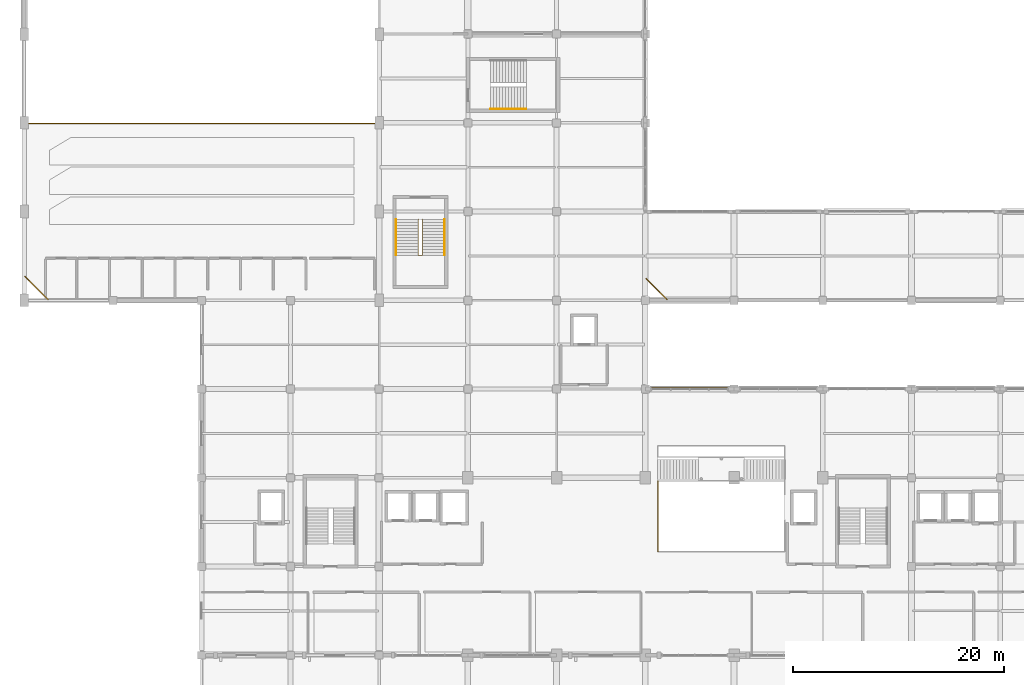
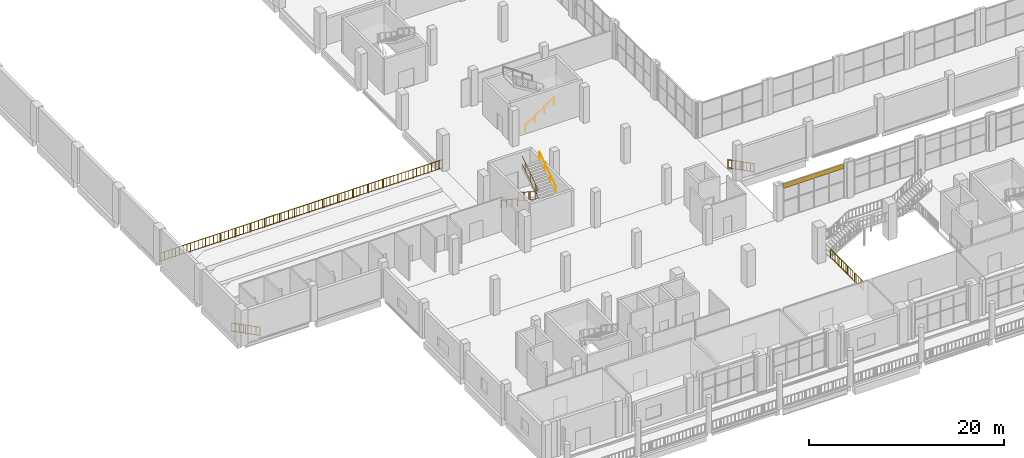
# One storey, part 69 of 75: 8 railings, 1 shading device.
"""IFC4 building model written with IfcOpenShell, lengths in metres."""

from ifc_helpers import new_model, si_unit, derived_unit, direction, frame, origin, origin_2d, place, context, subcontext, project, spatial, rectangle, circle, extrude, material, layer, layer_set, type_object, element, save


model = new_model("IFC4")

# Units and contexts
model_context = context("Model", 3, precision=1e-05, world=origin(), true_north=direction((0.0, 1.0)))
body_context = subcontext(model_context, "Body", "Model", "MODEL_VIEW")
ifc_project = project(units=[si_unit("LENGTHUNIT", "METRE"), si_unit("AREAUNIT", "SQUARE_METRE"), si_unit("VOLUMEUNIT", "CUBIC_METRE"), si_unit("PLANEANGLEUNIT", "RADIAN"), si_unit("MASSUNIT", "GRAM", prefix="KILO"), derived_unit("THERMALTRANSMITTANCEUNIT", [(si_unit("POWERUNIT", "WATT"), 1), (si_unit("LENGTHUNIT", "METRE"), -2), (si_unit("THERMODYNAMICTEMPERATUREUNIT", "KELVIN"), -1)])], contexts=[model_context])

# Site, building, storey
site_placement = place(None, origin())
site = spatial("IfcSite", under=ifc_project, at=site_placement, CompositionType="ELEMENT")
building_placement = place(site_placement, origin())
building = spatial("IfcBuilding", under=site, at=building_placement, Name="Barrovel Congress Hotel", CompositionType="ELEMENT")
storey_placement = place(building_placement, frame((0.0, 0.0, 5.39990234375)))
storey = spatial("IfcBuildingStorey", under=building, at=storey_placement, Name="L01", CompositionType="ELEMENT", Elevation=5.39990234375)

# Railings
ifc_material_1 = material(Name="Painted Architectural Steel", Category="steel")
ifc_layer_1 = layer(ifc_material_1, 0.070068359375)
ifc_layer_set_1 = layer_set([ifc_layer_1], Name="Painted Architectural Steel")
railing_type_1 = type_object("IfcRailingType", Name="RAIL-GUARD-INT", PredefinedType="BALUSTRADE", material=ifc_layer_set_1)
railing_1_placement = place(storey_placement, frame((37.31005859375, 45.4599609375, 0.0)))
element("IfcRailing", 1, at=railing_1_placement, inside=storey, type_object=railing_type_1, Name="STAIR:XS-08:L01:GR-W", PredefinedType="BALUSTRADE", context=body_context, shape_type="SweptSolid", body=[
    extrude(circle(Radius=0.02392578125, at=origin_2d()), frame((0.0, 0.0, 1.11572265625), z_axis=(0.0, -0.833174834292, 0.553009670352), x_axis=(1.0, 0.0, 0.0)), (0.0, 0.0, 1.0), 4.068603515625),
    extrude(circle(Radius=0.02392578125, at=origin_2d()), frame((0.0, 0.0, 0.10009765625), z_axis=(0.0, -0.833174834292, 0.553009670352), x_axis=(1.0, 0.0, 0.0)), (0.0, 0.0, 1.0), 4.068603515625),
    extrude(circle(Radius=0.010009765625, at=origin_2d()), frame((0.0, -0.3388671875, 0.324951171875)), (0.0, 0.0, 1.0), 0.99169921875),
    extrude(circle(Radius=0.010009765625, at=origin_2d()), frame((0.0, -0.677978515625, 0.550048828125)), (0.0, 0.0, 1.0), 0.99169921875),
    extrude(circle(Radius=0.010009765625, at=origin_2d()), frame((0.0, -1.01708984375, 0.77490234375)), (0.0, 0.0, 1.0), 0.99169921875),
    extrude(circle(Radius=0.010009765625, at=origin_2d()), frame((0.0, -1.35595703125, 1.0)), (0.0, 0.0, 1.0), 0.99169921875),
    extrude(circle(Radius=0.010009765625, at=origin_2d()), frame((0.0, -1.69482421875, 1.22509765625)), (0.0, 0.0, 1.0), 0.99169921875),
    extrude(circle(Radius=0.010009765625, at=origin_2d()), frame((0.0, -2.033935546875, 1.449951171875)), (0.0, 0.0, 1.0), 0.99169921875),
    extrude(circle(Radius=0.010009765625, at=origin_2d()), frame((0.0, -2.373046875, 1.675048828125)), (0.0, 0.0, 1.0), 0.99169921875),
    extrude(circle(Radius=0.010009765625, at=origin_2d()), frame((0.0, -2.7119140625, 1.89990234375)), (0.0, 0.0, 1.0), 0.99169921875),
    extrude(circle(Radius=0.010009765625, at=origin_2d()), frame((0.0, -3.05078125, 2.125)), (0.0, 0.0, 1.0), 0.99169921875),
    extrude(circle(Radius=0.02392578125, at=origin_2d()), frame((0.0, -3.389892578125, 3.36572265625), z_axis=(1.0, 0.0, 0.0), x_axis=(0.0, 1.0, 0.0)), (0.0, 0.0, 1.0), 0.3798828125),
    extrude(circle(Radius=0.02392578125, at=origin_2d()), frame((0.0, -3.389892578125, 2.35009765625), z_axis=(1.0, 0.0, 0.0), x_axis=(0.0, 1.0, 0.0)), (0.0, 0.0, 1.0), 0.3798828125),
    extrude(circle(Radius=0.010009765625, at=origin_2d()), frame((0.18994140625, -3.389892578125, 2.35009765625)), (0.0, 0.0, 1.0), 0.99169921875),
    extrude(circle(Radius=0.02392578125, at=origin_2d()), frame((0.3798828125, -3.389892578125, 3.36572265625), z_axis=(0.0, 0.833174834292, 0.553009670352), x_axis=(-1.0, 0.0, 0.0)), (0.0, 0.0, 1.0), 4.068603515625),
    extrude(circle(Radius=0.02392578125, at=origin_2d()), frame((0.3798828125, -3.389892578125, 2.35009765625), z_axis=(0.0, 0.833174834292, 0.553009670352), x_axis=(-1.0, 0.0, 0.0)), (0.0, 0.0, 1.0), 4.068603515625),
    extrude(circle(Radius=0.010009765625, at=origin_2d()), frame((0.3798828125, -3.05078125, 2.574951171875)), (0.0, 0.0, 1.0), 0.99169921875),
    extrude(circle(Radius=0.010009765625, at=origin_2d()), frame((0.3798828125, -2.7119140625, 2.800048828125)), (0.0, 0.0, 1.0), 0.99169921875),
    extrude(circle(Radius=0.010009765625, at=origin_2d()), frame((0.3798828125, -2.373046875, 3.02490234375)), (0.0, 0.0, 1.0), 0.99169921875),
    extrude(circle(Radius=0.010009765625, at=origin_2d()), frame((0.3798828125, -2.033935546875, 3.25)), (0.0, 0.0, 1.0), 0.99169921875),
    extrude(circle(Radius=0.010009765625, at=origin_2d()), frame((0.3798828125, -1.69482421875, 3.47509765625)), (0.0, 0.0, 1.0), 0.99169921875),
    extrude(circle(Radius=0.010009765625, at=origin_2d()), frame((0.3798828125, -1.35595703125, 3.699951171875)), (0.0, 0.0, 1.0), 0.99169921875),
    extrude(circle(Radius=0.010009765625, at=origin_2d()), frame((0.3798828125, -1.01708984375, 3.925048828125)), (0.0, 0.0, 1.0), 0.99169921875),
    extrude(circle(Radius=0.010009765625, at=origin_2d()), frame((0.3798828125, -0.677978515625, 4.14990234375)), (0.0, 0.0, 1.0), 0.99169921875),
    extrude(circle(Radius=0.010009765625, at=origin_2d()), frame((0.3798828125, -0.3388671875, 4.375)), (0.0, 0.0, 1.0), 0.99169921875),
    extrude(circle(Radius=0.02099609375, at=origin_2d()), origin(), (0.0, 0.0, 1.0), 1.091796875),
    extrude(circle(Radius=0.02099609375, at=origin_2d()), frame((0.0, -1.1298828125, 0.75)), (0.0, 0.0, 1.0), 1.091796875),
    extrude(circle(Radius=0.02099609375, at=origin_2d()), frame((0.0, -2.260009765625, 1.5)), (0.0, 0.0, 1.0), 1.091796875),
    extrude(circle(Radius=0.02099609375, at=origin_2d()), frame((0.0, -3.389892578125, 2.25)), (0.0, 0.0, 1.0), 1.091796875),
    extrude(circle(Radius=0.02099609375, at=origin_2d()), frame((0.3798828125, -3.389892578125, 2.25)), (0.0, 0.0, 1.0), 1.091796875),
    extrude(circle(Radius=0.02099609375, at=origin_2d()), frame((0.3798828125, -2.260009765625, 3.0)), (0.0, 0.0, 1.0), 1.091796875),
    extrude(circle(Radius=0.02099609375, at=origin_2d()), frame((0.3798828125, -1.1298828125, 3.75)), (0.0, 0.0, 1.0), 1.091796875),
    extrude(circle(Radius=0.02099609375, at=origin_2d()), frame((0.3798828125, 0.0, 4.5)), (0.0, 0.0, 1.0), 1.091796875),
])
railing_2_placement = place(storey_placement, frame((60.0, 20.699951171875, 0.0)))
element("IfcRailing", 2, at=railing_2_placement, inside=storey, type_object=railing_type_1, Name="RAIL:L01:ATR-3", PredefinedType="BALUSTRADE", context=body_context, shape_type="SweptSolid", body=[
    extrude(circle(Radius=0.02392578125, at=origin_2d()), frame((0.0, 0.0, 1.11572265625), z_axis=(0.0, -1.0, 0.0), x_axis=(1.0, 0.0, 0.0)), (0.0, 0.0, 1.0), 6.699951171875),
    extrude(circle(Radius=0.02392578125, at=origin_2d()), frame((0.0, 0.0, 0.10009765625), z_axis=(0.0, -1.0, 0.0), x_axis=(1.0, 0.0, 0.0)), (0.0, 0.0, 1.0), 6.699951171875),
    extrude(circle(Radius=0.010009765625, at=origin_2d()), frame((0.0, -0.44677734375, 0.10009765625)), (0.0, 0.0, 1.0), 0.99169921875),
    extrude(circle(Radius=0.010009765625, at=origin_2d()), frame((0.0, -0.893310546875, 0.10009765625)), (0.0, 0.0, 1.0), 0.99169921875),
    extrude(circle(Radius=0.010009765625, at=origin_2d()), frame((0.0, -1.340087890625, 0.10009765625)), (0.0, 0.0, 1.0), 0.99169921875),
    extrude(circle(Radius=0.010009765625, at=origin_2d()), frame((0.0, -1.78662109375, 0.10009765625)), (0.0, 0.0, 1.0), 0.99169921875),
    extrude(circle(Radius=0.010009765625, at=origin_2d()), frame((0.0, -2.2333984375, 0.10009765625)), (0.0, 0.0, 1.0), 0.99169921875),
    extrude(circle(Radius=0.010009765625, at=origin_2d()), frame((0.0, -2.679931640625, 0.10009765625)), (0.0, 0.0, 1.0), 0.99169921875),
    extrude(circle(Radius=0.010009765625, at=origin_2d()), frame((0.0, -3.126708984375, 0.10009765625)), (0.0, 0.0, 1.0), 0.99169921875),
    extrude(circle(Radius=0.010009765625, at=origin_2d()), frame((0.0, -3.5732421875, 0.10009765625)), (0.0, 0.0, 1.0), 0.99169921875),
    extrude(circle(Radius=0.010009765625, at=origin_2d()), frame((0.0, -4.02001953125, 0.10009765625)), (0.0, 0.0, 1.0), 0.99169921875),
    extrude(circle(Radius=0.010009765625, at=origin_2d()), frame((0.0, -4.466552734375, 0.10009765625)), (0.0, 0.0, 1.0), 0.99169921875),
    extrude(circle(Radius=0.010009765625, at=origin_2d()), frame((0.0, -4.913330078125, 0.10009765625)), (0.0, 0.0, 1.0), 0.99169921875),
    extrude(circle(Radius=0.010009765625, at=origin_2d()), frame((0.0, -5.35986328125, 0.10009765625)), (0.0, 0.0, 1.0), 0.99169921875),
    extrude(circle(Radius=0.010009765625, at=origin_2d()), frame((0.0, -5.806640625, 0.10009765625)), (0.0, 0.0, 1.0), 0.99169921875),
    extrude(circle(Radius=0.010009765625, at=origin_2d()), frame((0.0, -6.253173828125, 0.10009765625)), (0.0, 0.0, 1.0), 0.99169921875),
    extrude(circle(Radius=0.02099609375, at=origin_2d()), origin(), (0.0, 0.0, 1.0), 1.091796875),
    extrude(circle(Radius=0.02099609375, at=origin_2d()), frame((0.0, -1.675048828125, 0.0)), (0.0, 0.0, 1.0), 1.091796875),
    extrude(circle(Radius=0.02099609375, at=origin_2d()), frame((0.0, -3.35009765625, 0.0)), (0.0, 0.0, 1.0), 1.091796875),
    extrude(circle(Radius=0.02099609375, at=origin_2d()), frame((0.0, -5.02490234375, 0.0)), (0.0, 0.0, 1.0), 1.091796875),
    extrude(circle(Radius=0.02099609375, at=origin_2d()), frame((0.0, -6.699951171875, 0.0)), (0.0, 0.0, 1.0), 1.091796875),
])
railing_3_placement = place(storey_placement, frame((0.080078125, 54.52001953125, 0.0)))
element("IfcRailing", 3, at=railing_3_placement, inside=storey, type_object=railing_type_1, Name="RAIL:L01:GAL-FRONT", PredefinedType="BALUSTRADE", context=body_context, shape_type="SweptSolid", body=[
    extrude(circle(Radius=0.02392578125, at=origin_2d()), frame((0.0, 0.0, 1.11572265625), z_axis=(1.0, 0.0, 0.0), x_axis=(0.0, 1.0, 0.0)), (0.0, 0.0, 1.0), 33.43994140625),
    extrude(circle(Radius=0.02392578125, at=origin_2d()), frame((0.0, 0.0, 0.10009765625), z_axis=(1.0, 0.0, 0.0), x_axis=(0.0, 1.0, 0.0)), (0.0, 0.0, 1.0), 33.43994140625),
    extrude(circle(Radius=0.010009765625, at=origin_2d()), frame((0.44580078125, 0.0, 0.10009765625)), (0.0, 0.0, 1.0), 0.99169921875),
    extrude(circle(Radius=0.010009765625, at=origin_2d()), frame((0.891845703125, 0.0, 0.10009765625)), (0.0, 0.0, 1.0), 0.99169921875),
    extrude(circle(Radius=0.010009765625, at=origin_2d()), frame((1.337646484375, 0.0, 0.10009765625)), (0.0, 0.0, 1.0), 0.99169921875),
    extrude(circle(Radius=0.010009765625, at=origin_2d()), frame((1.783447265625, 0.0, 0.10009765625)), (0.0, 0.0, 1.0), 0.99169921875),
    extrude(circle(Radius=0.010009765625, at=origin_2d()), frame((2.229248046875, 0.0, 0.10009765625)), (0.0, 0.0, 1.0), 0.99169921875),
    extrude(circle(Radius=0.010009765625, at=origin_2d()), frame((2.67529296875, 0.0, 0.10009765625)), (0.0, 0.0, 1.0), 0.99169921875),
    extrude(circle(Radius=0.010009765625, at=origin_2d()), frame((3.12109375, 0.0, 0.10009765625)), (0.0, 0.0, 1.0), 0.99169921875),
    extrude(circle(Radius=0.010009765625, at=origin_2d()), frame((3.56689453125, 0.0, 0.10009765625)), (0.0, 0.0, 1.0), 0.99169921875),
    extrude(circle(Radius=0.010009765625, at=origin_2d()), frame((4.0126953125, 0.0, 0.10009765625)), (0.0, 0.0, 1.0), 0.99169921875),
    extrude(circle(Radius=0.010009765625, at=origin_2d()), frame((4.458740234375, 0.0, 0.10009765625)), (0.0, 0.0, 1.0), 0.99169921875),
    extrude(circle(Radius=0.010009765625, at=origin_2d()), frame((4.904541015625, 0.0, 0.10009765625)), (0.0, 0.0, 1.0), 0.99169921875),
    extrude(circle(Radius=0.010009765625, at=origin_2d()), frame((5.350341796875, 0.0, 0.10009765625)), (0.0, 0.0, 1.0), 0.99169921875),
    extrude(circle(Radius=0.010009765625, at=origin_2d()), frame((5.796142578125, 0.0, 0.10009765625)), (0.0, 0.0, 1.0), 0.99169921875),
    extrude(circle(Radius=0.010009765625, at=origin_2d()), frame((6.2421875, 0.0, 0.10009765625)), (0.0, 0.0, 1.0), 0.99169921875),
    extrude(circle(Radius=0.010009765625, at=origin_2d()), frame((6.68798828125, 0.0, 0.10009765625)), (0.0, 0.0, 1.0), 0.99169921875),
    extrude(circle(Radius=0.010009765625, at=origin_2d()), frame((7.1337890625, 0.0, 0.10009765625)), (0.0, 0.0, 1.0), 0.99169921875),
    extrude(circle(Radius=0.010009765625, at=origin_2d()), frame((7.579833984375, 0.0, 0.10009765625)), (0.0, 0.0, 1.0), 0.99169921875),
    extrude(circle(Radius=0.010009765625, at=origin_2d()), frame((8.025634765625, 0.0, 0.10009765625)), (0.0, 0.0, 1.0), 0.99169921875),
    extrude(circle(Radius=0.010009765625, at=origin_2d()), frame((8.471435546875, 0.0, 0.10009765625)), (0.0, 0.0, 1.0), 0.99169921875),
    extrude(circle(Radius=0.010009765625, at=origin_2d()), frame((8.917236328125, 0.0, 0.10009765625)), (0.0, 0.0, 1.0), 0.99169921875),
    extrude(circle(Radius=0.010009765625, at=origin_2d()), frame((9.36328125, 0.0, 0.10009765625)), (0.0, 0.0, 1.0), 0.99169921875),
    extrude(circle(Radius=0.010009765625, at=origin_2d()), frame((9.80908203125, 0.0, 0.10009765625)), (0.0, 0.0, 1.0), 0.99169921875),
    extrude(circle(Radius=0.010009765625, at=origin_2d()), frame((10.2548828125, 0.0, 0.10009765625)), (0.0, 0.0, 1.0), 0.99169921875),
    extrude(circle(Radius=0.010009765625, at=origin_2d()), frame((10.70068359375, 0.0, 0.10009765625)), (0.0, 0.0, 1.0), 0.99169921875),
    extrude(circle(Radius=0.010009765625, at=origin_2d()), frame((11.146728515625, 0.0, 0.10009765625)), (0.0, 0.0, 1.0), 0.99169921875),
    extrude(circle(Radius=0.010009765625, at=origin_2d()), frame((11.592529296875, 0.0, 0.10009765625)), (0.0, 0.0, 1.0), 0.99169921875),
    extrude(circle(Radius=0.010009765625, at=origin_2d()), frame((12.038330078125, 0.0, 0.10009765625)), (0.0, 0.0, 1.0), 0.99169921875),
    extrude(circle(Radius=0.010009765625, at=origin_2d()), frame((12.484130859375, 0.0, 0.10009765625)), (0.0, 0.0, 1.0), 0.99169921875),
    extrude(circle(Radius=0.010009765625, at=origin_2d()), frame((12.93017578125, 0.0, 0.10009765625)), (0.0, 0.0, 1.0), 0.99169921875),
    extrude(circle(Radius=0.010009765625, at=origin_2d()), frame((13.3759765625, 0.0, 0.10009765625)), (0.0, 0.0, 1.0), 0.99169921875),
    extrude(circle(Radius=0.010009765625, at=origin_2d()), frame((13.82177734375, 0.0, 0.10009765625)), (0.0, 0.0, 1.0), 0.99169921875),
    extrude(circle(Radius=0.010009765625, at=origin_2d()), frame((14.267822265625, 0.0, 0.10009765625)), (0.0, 0.0, 1.0), 0.99169921875),
    extrude(circle(Radius=0.010009765625, at=origin_2d()), frame((14.713623046875, 0.0, 0.10009765625)), (0.0, 0.0, 1.0), 0.99169921875),
    extrude(circle(Radius=0.010009765625, at=origin_2d()), frame((15.159423828125, 0.0, 0.10009765625)), (0.0, 0.0, 1.0), 0.99169921875),
    extrude(circle(Radius=0.010009765625, at=origin_2d()), frame((15.605224609375, 0.0, 0.10009765625)), (0.0, 0.0, 1.0), 0.99169921875),
    extrude(circle(Radius=0.010009765625, at=origin_2d()), frame((16.05126953125, 0.0, 0.10009765625)), (0.0, 0.0, 1.0), 0.99169921875),
    extrude(circle(Radius=0.010009765625, at=origin_2d()), frame((16.4970703125, 0.0, 0.10009765625)), (0.0, 0.0, 1.0), 0.99169921875),
    extrude(circle(Radius=0.010009765625, at=origin_2d()), frame((16.94287109375, 0.0, 0.10009765625)), (0.0, 0.0, 1.0), 0.99169921875),
    extrude(circle(Radius=0.010009765625, at=origin_2d()), frame((17.388671875, 0.0, 0.10009765625)), (0.0, 0.0, 1.0), 0.99169921875),
    extrude(circle(Radius=0.010009765625, at=origin_2d()), frame((17.834716796875, 0.0, 0.10009765625)), (0.0, 0.0, 1.0), 0.99169921875),
    extrude(circle(Radius=0.010009765625, at=origin_2d()), frame((18.280517578125, 0.0, 0.10009765625)), (0.0, 0.0, 1.0), 0.99169921875),
    extrude(circle(Radius=0.010009765625, at=origin_2d()), frame((18.726318359375, 0.0, 0.10009765625)), (0.0, 0.0, 1.0), 0.99169921875),
    extrude(circle(Radius=0.010009765625, at=origin_2d()), frame((19.172119140625, 0.0, 0.10009765625)), (0.0, 0.0, 1.0), 0.99169921875),
    extrude(circle(Radius=0.010009765625, at=origin_2d()), frame((19.6181640625, 0.0, 0.10009765625)), (0.0, 0.0, 1.0), 0.99169921875),
    extrude(circle(Radius=0.010009765625, at=origin_2d()), frame((20.06396484375, 0.0, 0.10009765625)), (0.0, 0.0, 1.0), 0.99169921875),
    extrude(circle(Radius=0.010009765625, at=origin_2d()), frame((20.509765625, 0.0, 0.10009765625)), (0.0, 0.0, 1.0), 0.99169921875),
    extrude(circle(Radius=0.010009765625, at=origin_2d()), frame((20.955810546875, 0.0, 0.10009765625)), (0.0, 0.0, 1.0), 0.99169921875),
    extrude(circle(Radius=0.010009765625, at=origin_2d()), frame((21.401611328125, 0.0, 0.10009765625)), (0.0, 0.0, 1.0), 0.99169921875),
    extrude(circle(Radius=0.010009765625, at=origin_2d()), frame((21.847412109375, 0.0, 0.10009765625)), (0.0, 0.0, 1.0), 0.99169921875),
    extrude(circle(Radius=0.010009765625, at=origin_2d()), frame((22.293212890625, 0.0, 0.10009765625)), (0.0, 0.0, 1.0), 0.99169921875),
    extrude(circle(Radius=0.010009765625, at=origin_2d()), frame((22.7392578125, 0.0, 0.10009765625)), (0.0, 0.0, 1.0), 0.99169921875),
    extrude(circle(Radius=0.010009765625, at=origin_2d()), frame((23.18505859375, 0.0, 0.10009765625)), (0.0, 0.0, 1.0), 0.99169921875),
    extrude(circle(Radius=0.010009765625, at=origin_2d()), frame((23.630859375, 0.0, 0.10009765625)), (0.0, 0.0, 1.0), 0.99169921875),
    extrude(circle(Radius=0.010009765625, at=origin_2d()), frame((24.07666015625, 0.0, 0.10009765625)), (0.0, 0.0, 1.0), 0.99169921875),
    extrude(circle(Radius=0.010009765625, at=origin_2d()), frame((24.522705078125, 0.0, 0.10009765625)), (0.0, 0.0, 1.0), 0.99169921875),
    extrude(circle(Radius=0.010009765625, at=origin_2d()), frame((24.968505859375, 0.0, 0.10009765625)), (0.0, 0.0, 1.0), 0.99169921875),
    extrude(circle(Radius=0.010009765625, at=origin_2d()), frame((25.414306640625, 0.0, 0.10009765625)), (0.0, 0.0, 1.0), 0.99169921875),
    extrude(circle(Radius=0.010009765625, at=origin_2d()), frame((25.860107421875, 0.0, 0.10009765625)), (0.0, 0.0, 1.0), 0.99169921875),
    extrude(circle(Radius=0.010009765625, at=origin_2d()), frame((26.30615234375, 0.0, 0.10009765625)), (0.0, 0.0, 1.0), 0.99169921875),
    extrude(circle(Radius=0.010009765625, at=origin_2d()), frame((26.751953125, 0.0, 0.10009765625)), (0.0, 0.0, 1.0), 0.99169921875),
    extrude(circle(Radius=0.010009765625, at=origin_2d()), frame((27.19775390625, 0.0, 0.10009765625)), (0.0, 0.0, 1.0), 0.99169921875),
    extrude(circle(Radius=0.010009765625, at=origin_2d()), frame((27.643798828125, 0.0, 0.10009765625)), (0.0, 0.0, 1.0), 0.99169921875),
    extrude(circle(Radius=0.010009765625, at=origin_2d()), frame((28.089599609375, 0.0, 0.10009765625)), (0.0, 0.0, 1.0), 0.99169921875),
    extrude(circle(Radius=0.010009765625, at=origin_2d()), frame((28.535400390625, 0.0, 0.10009765625)), (0.0, 0.0, 1.0), 0.99169921875),
    extrude(circle(Radius=0.010009765625, at=origin_2d()), frame((28.981201171875, 0.0, 0.10009765625)), (0.0, 0.0, 1.0), 0.99169921875),
    extrude(circle(Radius=0.010009765625, at=origin_2d()), frame((29.42724609375, 0.0, 0.10009765625)), (0.0, 0.0, 1.0), 0.99169921875),
    extrude(circle(Radius=0.010009765625, at=origin_2d()), frame((29.873046875, 0.0, 0.10009765625)), (0.0, 0.0, 1.0), 0.99169921875),
    extrude(circle(Radius=0.010009765625, at=origin_2d()), frame((30.31884765625, 0.0, 0.10009765625)), (0.0, 0.0, 1.0), 0.99169921875),
    extrude(circle(Radius=0.010009765625, at=origin_2d()), frame((30.7646484375, 0.0, 0.10009765625)), (0.0, 0.0, 1.0), 0.99169921875),
    extrude(circle(Radius=0.010009765625, at=origin_2d()), frame((31.210693359375, 0.0, 0.10009765625)), (0.0, 0.0, 1.0), 0.99169921875),
    extrude(circle(Radius=0.010009765625, at=origin_2d()), frame((31.656494140625, 0.0, 0.10009765625)), (0.0, 0.0, 1.0), 0.99169921875),
    extrude(circle(Radius=0.010009765625, at=origin_2d()), frame((32.102294921875, 0.0, 0.10009765625)), (0.0, 0.0, 1.0), 0.99169921875),
    extrude(circle(Radius=0.010009765625, at=origin_2d()), frame((32.548095703125, 0.0, 0.10009765625)), (0.0, 0.0, 1.0), 0.99169921875),
    extrude(circle(Radius=0.010009765625, at=origin_2d()), frame((32.994140625, 0.0, 0.10009765625)), (0.0, 0.0, 1.0), 0.99169921875),
    extrude(circle(Radius=0.02099609375, at=origin_2d()), origin(), (0.0, 0.0, 1.0), 1.091796875),
    extrude(circle(Radius=0.02099609375, at=origin_2d()), frame((1.760009765625, 0.0, 0.0)), (0.0, 0.0, 1.0), 1.091796875),
    extrude(circle(Radius=0.02099609375, at=origin_2d()), frame((3.52001953125, 0.0, 0.0)), (0.0, 0.0, 1.0), 1.091796875),
    extrude(circle(Radius=0.02099609375, at=origin_2d()), frame((5.280029296875, 0.0, 0.0)), (0.0, 0.0, 1.0), 1.091796875),
    extrude(circle(Radius=0.02099609375, at=origin_2d()), frame((7.0400390625, 0.0, 0.0)), (0.0, 0.0, 1.0), 1.091796875),
    extrude(circle(Radius=0.02099609375, at=origin_2d()), frame((8.800048828125, 0.0, 0.0)), (0.0, 0.0, 1.0), 1.091796875),
    extrude(circle(Radius=0.02099609375, at=origin_2d()), frame((10.56005859375, 0.0, 0.0)), (0.0, 0.0, 1.0), 1.091796875),
    extrude(circle(Radius=0.02099609375, at=origin_2d()), frame((12.320068359375, 0.0, 0.0)), (0.0, 0.0, 1.0), 1.091796875),
    extrude(circle(Radius=0.02099609375, at=origin_2d()), frame((14.080078125, 0.0, 0.0)), (0.0, 0.0, 1.0), 1.091796875),
    extrude(circle(Radius=0.02099609375, at=origin_2d()), frame((15.840087890625, 0.0, 0.0)), (0.0, 0.0, 1.0), 1.091796875),
    extrude(circle(Radius=0.02099609375, at=origin_2d()), frame((17.599853515625, 0.0, 0.0)), (0.0, 0.0, 1.0), 1.091796875),
    extrude(circle(Radius=0.02099609375, at=origin_2d()), frame((19.35986328125, 0.0, 0.0)), (0.0, 0.0, 1.0), 1.091796875),
    extrude(circle(Radius=0.02099609375, at=origin_2d()), frame((21.119873046875, 0.0, 0.0)), (0.0, 0.0, 1.0), 1.091796875),
    extrude(circle(Radius=0.02099609375, at=origin_2d()), frame((22.8798828125, 0.0, 0.0)), (0.0, 0.0, 1.0), 1.091796875),
    extrude(circle(Radius=0.02099609375, at=origin_2d()), frame((24.639892578125, 0.0, 0.0)), (0.0, 0.0, 1.0), 1.091796875),
    extrude(circle(Radius=0.02099609375, at=origin_2d()), frame((26.39990234375, 0.0, 0.0)), (0.0, 0.0, 1.0), 1.091796875),
    extrude(circle(Radius=0.02099609375, at=origin_2d()), frame((28.159912109375, 0.0, 0.0)), (0.0, 0.0, 1.0), 1.091796875),
    extrude(circle(Radius=0.02099609375, at=origin_2d()), frame((29.919921875, 0.0, 0.0)), (0.0, 0.0, 1.0), 1.091796875),
    extrude(circle(Radius=0.02099609375, at=origin_2d()), frame((31.679931640625, 0.0, 0.0)), (0.0, 0.0, 1.0), 1.091796875),
    extrude(circle(Radius=0.02099609375, at=origin_2d()), frame((33.43994140625, 0.0, 0.0)), (0.0, 0.0, 1.0), 1.091796875),
])
railing_4_placement = place(storey_placement, frame((2.25, 37.8798828125, 0.0)))
element("IfcRailing", 4, at=railing_4_placement, inside=storey, type_object=railing_type_1, Name="RAIL:L01:CG-GAL", PredefinedType="BALUSTRADE", context=body_context, shape_type="SweptSolid", body=[
    extrude(circle(Radius=0.02392578125, at=origin_2d()), frame((0.0, 0.0, 1.11572265625), z_axis=(-0.707067003571, 0.707146556564, 0.0), x_axis=(-0.707146556564, -0.707067003571, 0.0)), (0.0, 0.0, 1.0), 3.06884765625),
    extrude(circle(Radius=0.02392578125, at=origin_2d()), frame((0.0, 0.0, 0.10009765625), z_axis=(-0.707067003571, 0.707146556564, 0.0), x_axis=(-0.707146556564, -0.707067003571, 0.0)), (0.0, 0.0, 1.0), 3.06884765625),
    extrude(circle(Radius=0.010009765625, at=origin_2d()), frame((-0.31005859375, 0.31005859375, 0.10009765625)), (0.0, 0.0, 1.0), 0.99169921875),
    extrude(circle(Radius=0.010009765625, at=origin_2d()), frame((-0.619873046875, 0.6201171875, 0.10009765625)), (0.0, 0.0, 1.0), 0.99169921875),
    extrude(circle(Radius=0.010009765625, at=origin_2d()), frame((-0.929931640625, 0.93017578125, 0.10009765625)), (0.0, 0.0, 1.0), 0.99169921875),
    extrude(circle(Radius=0.010009765625, at=origin_2d()), frame((-1.239990234375, 1.239990234375, 0.10009765625)), (0.0, 0.0, 1.0), 0.99169921875),
    extrude(circle(Radius=0.010009765625, at=origin_2d()), frame((-1.550048828125, 1.550048828125, 0.10009765625)), (0.0, 0.0, 1.0), 0.99169921875),
    extrude(circle(Radius=0.010009765625, at=origin_2d()), frame((-1.85986328125, 1.860107421875, 0.10009765625)), (0.0, 0.0, 1.0), 0.99169921875),
    extrude(circle(Radius=0.02099609375, at=origin_2d()), origin(), (0.0, 0.0, 1.0), 1.091796875),
    extrude(circle(Radius=0.02099609375, at=origin_2d()), frame((-1.0849609375, 1.0849609375, 0.0)), (0.0, 0.0, 1.0), 1.091796875),
    extrude(circle(Radius=0.02099609375, at=origin_2d()), frame((-2.169921875, 2.170166015625, 0.0)), (0.0, 0.0, 1.0), 1.091796875),
])
railing_5_placement = place(storey_placement, frame((60.85009765625, 37.8798828125, 0.0)))
element("IfcRailing", 5, at=railing_5_placement, inside=storey, type_object=railing_type_1, Name="RAIL:L01:CG-CLO", PredefinedType="BALUSTRADE", context=body_context, shape_type="SweptSolid", body=[
    extrude(circle(Radius=0.02392578125, at=origin_2d()), frame((0.0, 0.0, 1.11572265625), z_axis=(-0.707106781187, 0.707106781187, 0.0), x_axis=(-0.707106781187, -0.707106781187, 0.0)), (0.0, 0.0, 1.0), 2.786376953125),
    extrude(circle(Radius=0.02392578125, at=origin_2d()), frame((0.0, 0.0, 0.10009765625), z_axis=(-0.707106781187, 0.707106781187, 0.0), x_axis=(-0.707106781187, -0.707106781187, 0.0)), (0.0, 0.0, 1.0), 2.786376953125),
    extrude(circle(Radius=0.010009765625, at=origin_2d()), frame((-0.281494140625, 0.281494140625, 0.10009765625)), (0.0, 0.0, 1.0), 0.99169921875),
    extrude(circle(Radius=0.010009765625, at=origin_2d()), frame((-0.56298828125, 0.56298828125, 0.10009765625)), (0.0, 0.0, 1.0), 0.99169921875),
    extrude(circle(Radius=0.010009765625, at=origin_2d()), frame((-0.844482421875, 0.844482421875, 0.10009765625)), (0.0, 0.0, 1.0), 0.99169921875),
    extrude(circle(Radius=0.010009765625, at=origin_2d()), frame((-1.125732421875, 1.125732421875, 0.10009765625)), (0.0, 0.0, 1.0), 0.99169921875),
    extrude(circle(Radius=0.010009765625, at=origin_2d()), frame((-1.4072265625, 1.4072265625, 0.10009765625)), (0.0, 0.0, 1.0), 0.99169921875),
    extrude(circle(Radius=0.010009765625, at=origin_2d()), frame((-1.688720703125, 1.688720703125, 0.10009765625)), (0.0, 0.0, 1.0), 0.99169921875),
    extrude(circle(Radius=0.02099609375, at=origin_2d()), origin(), (0.0, 0.0, 1.0), 1.091796875),
    extrude(circle(Radius=0.02099609375, at=origin_2d()), frame((-0.985107421875, 0.985107421875, 0.0)), (0.0, 0.0, 1.0), 1.091796875),
    extrude(circle(Radius=0.02099609375, at=origin_2d()), frame((-1.97021484375, 1.97021484375, 0.0)), (0.0, 0.0, 1.0), 1.091796875),
])
ifc_material_2 = material(Name="Brushed Stainless Steel", Category="steel")
ifc_layer_2 = layer(ifc_material_2, 0.050048828125)
ifc_layer_set_2 = layer_set([ifc_layer_2], Name="Brushed Stainless Steel")
railing_type_2 = type_object("IfcRailingType", Name="RAIL-HAND", PredefinedType="HANDRAIL", material=ifc_layer_set_2)
railing_6_placement = place(storey_placement, frame((44.139892578125, 55.919921875, 0.0)))
element("IfcRailing", 6, at=railing_6_placement, inside=storey, type_object=railing_type_2, Name="STAIR:XS-05:L01:HR-1", PredefinedType="HANDRAIL", context=body_context, shape_type="SweptSolid", body=[
    extrude(circle(Radius=0.02392578125, at=origin_2d()), frame((0.0, 0.0, 0.89599609375), z_axis=(0.833193183746, 0.0, 0.552982023722), x_axis=(0.0, 1.0, 0.0)), (0.0, 0.0, 1.0), 4.06884765625),
    extrude(circle(Radius=0.02099609375, at=origin_2d()), origin(), (0.0, 0.0, 1.0), 0.871826171875),
    extrude(circle(Radius=0.02099609375, at=origin_2d()), frame((1.130126953125, 0.0, 0.75)), (0.0, 0.0, 1.0), 0.871826171875),
    extrude(circle(Radius=0.02099609375, at=origin_2d()), frame((2.260009765625, 0.0, 1.5)), (0.0, 0.0, 1.0), 0.871826171875),
    extrude(circle(Radius=0.02099609375, at=origin_2d()), frame((3.39013671875, 0.0, 2.25)), (0.0, 0.0, 1.0), 0.871826171875),
])
railing_7_placement = place(storey_placement, frame((35.219970703125, 45.4599609375, 0.0)))
element("IfcRailing", 7, at=railing_7_placement, inside=storey, type_object=railing_type_2, Name="STAIR:XS-08:L01:HR-1", PredefinedType="HANDRAIL", context=body_context, shape_type="SweptSolid", body=[
    extrude(circle(Radius=0.02392578125, at=origin_2d()), frame((0.0, 0.0, 0.89599609375), z_axis=(0.0, -0.833174834292, 0.553009670352), x_axis=(1.0, 0.0, 0.0)), (0.0, 0.0, 1.0), 4.068603515625),
    extrude(circle(Radius=0.02099609375, at=origin_2d()), origin(), (0.0, 0.0, 1.0), 0.871826171875),
    extrude(circle(Radius=0.02099609375, at=origin_2d()), frame((0.0, -1.1298828125, 0.75)), (0.0, 0.0, 1.0), 0.871826171875),
    extrude(circle(Radius=0.02099609375, at=origin_2d()), frame((0.0, -2.260009765625, 1.5)), (0.0, 0.0, 1.0), 0.871826171875),
    extrude(circle(Radius=0.02099609375, at=origin_2d()), frame((0.0, -3.389892578125, 2.25)), (0.0, 0.0, 1.0), 0.871826171875),
])
railing_8_placement = place(storey_placement, frame((39.780029296875, 42.070068359375, 2.25)))
element("IfcRailing", 8, at=railing_8_placement, inside=storey, type_object=railing_type_2, Name="STAIR:XS-08:L01:HR-2", PredefinedType="HANDRAIL", context=body_context, shape_type="SweptSolid", body=[
    extrude(circle(Radius=0.02392578125, at=origin_2d()), frame((0.0, 0.0, 0.89599609375), z_axis=(0.0, 0.833174834292, 0.553009670352), x_axis=(-1.0, 0.0, 0.0)), (0.0, 0.0, 1.0), 4.068603515625),
    extrude(circle(Radius=0.02099609375, at=origin_2d()), origin(), (0.0, 0.0, 1.0), 0.871826171875),
    extrude(circle(Radius=0.02099609375, at=origin_2d()), frame((0.0, 1.1298828125, 0.75)), (0.0, 0.0, 1.0), 0.871826171875),
    extrude(circle(Radius=0.02099609375, at=origin_2d()), frame((0.0, 2.260009765625, 1.5)), (0.0, 0.0, 1.0), 0.871826171875),
    extrude(circle(Radius=0.02099609375, at=origin_2d()), frame((0.0, 3.389892578125, 2.25)), (0.0, 0.0, 1.0), 0.871826171875),
])

# Shading device
ifc_material_3 = material(Name="Extruded Terracotta Louvres", Category="masonry")
shading_device_type = type_object("IfcShadingDeviceType", Name="SHD-CELOSIA", PredefinedType="JALOUSIE", material=ifc_material_3)
shading_device_placement = place(storey_placement, frame((63.0, 29.4599609375, 3.6650390625), z_axis=(0.0, 0.0, 1.0), x_axis=(1.0, 0.0, 0.0)))
element("IfcShadingDevice", 9, at=shading_device_placement, inside=storey, type_object=shading_device_type, Name="CEL:L01:CS:07", PredefinedType="JALOUSIE", context=body_context, shape_type="SweptSolid", body=[
    extrude(rectangle(XDim=7.199951171875, YDim=0.179931640625, at=origin_2d()), origin(), (0.0, 0.0, 1.0), 0.550048828125),
])

save(model, "model.ifc")
